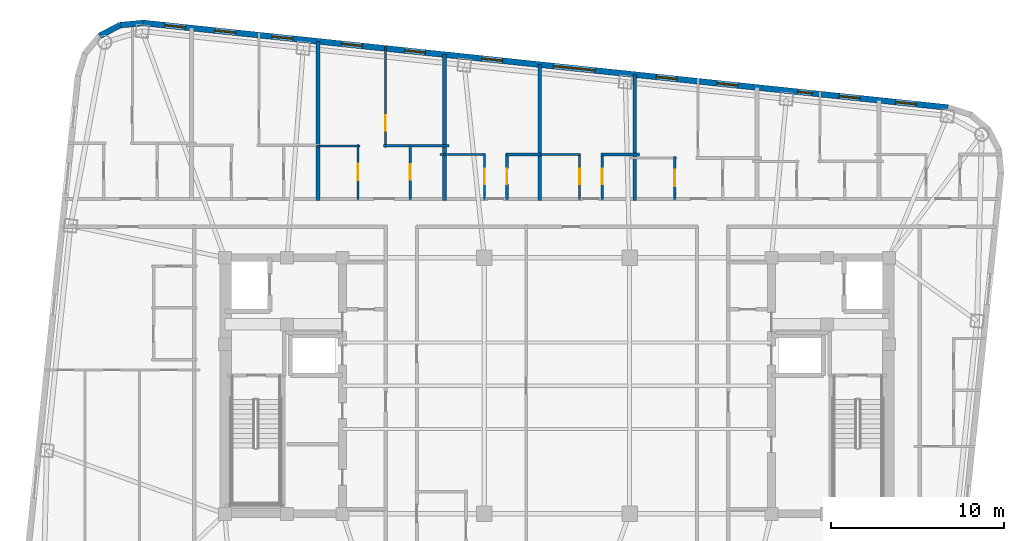
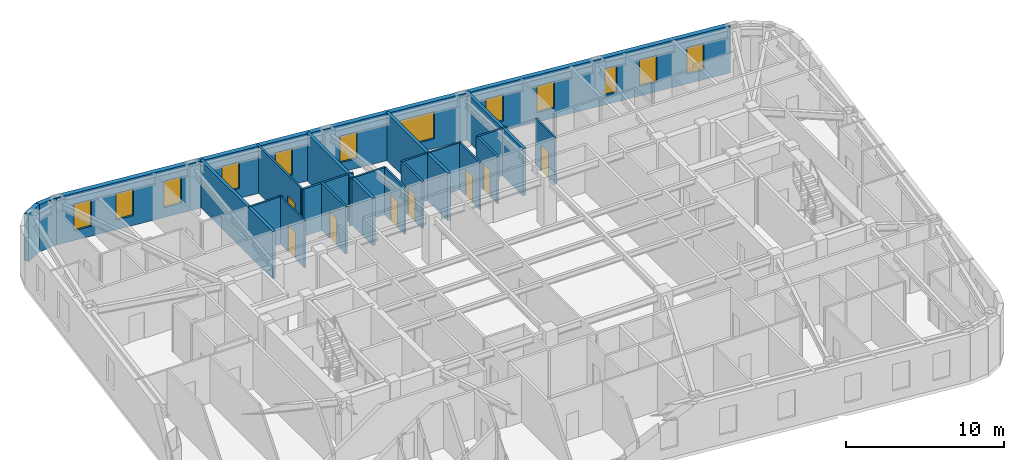
# One storey, part 8 of 11: 21 walls, 12 windows, 8 doors, 20 openings.
"""IFC4 building model written with IfcOpenShell, lengths in metres."""

from ifc_helpers import new_model, si_unit, direction, frame, frame_2d, origin, place, context, subcontext, project, spatial, rectangle, extrude, material, layer, layer_set, type_object, element, fill, save


model = new_model("IFC4")

# Units and contexts
model_context = context("Model", 3, precision=1e-05, world=origin(), true_north=direction((0.0, 1.0)))
body_context = subcontext(model_context, "Body", "Model", "MODEL_VIEW")
ifc_project = project(units=[si_unit("LENGTHUNIT", "METRE"), si_unit("AREAUNIT", "SQUARE_METRE"), si_unit("VOLUMEUNIT", "CUBIC_METRE"), si_unit("PLANEANGLEUNIT", "RADIAN"), si_unit("MASSUNIT", "GRAM", prefix="KILO")], contexts=[model_context])

# Site, building, storey
site_placement = place(None, origin())
site = spatial("IfcSite", under=ifc_project, at=site_placement, CompositionType="ELEMENT")
building_placement = place(site_placement, origin())
building = spatial("IfcBuilding", under=site, at=building_placement, Name="Voryun Gate Residences", CompositionType="ELEMENT")
storey_placement = place(building_placement, frame((0.0, 0.0, 283.39990234375)))
storey = spatial("IfcBuildingStorey", under=building, at=storey_placement, Name="L70", CompositionType="ELEMENT", Elevation=283.39990234375)

# Walls
ifc_material_1 = material(Name="Charcoal terracotta masonry", Category="masonry")
ifc_layer_1 = layer(ifc_material_1, 0.340087890625, Name="W_EXT_TERRACOTTA_340")
ifc_layer_set_1 = layer_set([ifc_layer_1], Name="Charcoal terracotta masonry")
wall_type_1 = type_object("IfcWallType", Name="W_EXT_TERRACOTTA_340", PredefinedType="ELEMENTEDWALL", material=ifc_layer_set_1)
wall_1_placement = place(storey_placement, frame((-26.439453125, 20.2255859375, 0.0), z_axis=(0.0, 0.0, 1.0), x_axis=(0.884922182678, 0.465738908193, 0.0)))
element("IfcWall", 1, at=wall_1_placement, inside=storey, type_object=wall_type_1, Name="Exterior wall WEXT-L70-09", PredefinedType="ELEMENTEDWALL", context=body_context, shape_type="SweptSolid", body=[
    extrude(rectangle(XDim=1.337158203125, YDim=0.340087890625, at=frame_2d((0.66845703125, 0.0))), origin(), (0.0, 0.0, 1.0), 3.650146484375),
])
wall_2_placement = place(storey_placement, frame((-25.256103515625, 20.848388671875, 0.0), z_axis=(0.0, 0.0, 1.0), x_axis=(0.995813013343, 0.091413579172, 0.0)))
element("IfcWall", 2, at=wall_2_placement, inside=storey, type_object=wall_type_1, Name="Exterior wall WEXT-L70-10", PredefinedType="ELEMENTEDWALL", context=body_context, shape_type="SweptSolid", body=[
    extrude(rectangle(XDim=1.35400390625, YDim=0.340087890625, at=frame_2d((0.677001953125, 0.0))), origin(), (0.0, 0.0, 1.0), 3.650146484375),
])

# Wall, openings, windows
wall_3_placement = place(storey_placement, frame((-23.90771484375, 20.97216796875, 0.0), z_axis=(0.0, 0.0, 1.0), x_axis=(0.994521888554, -0.104528528102, 0.0)))
wall_3 = element("IfcWall", 3, at=wall_3_placement, inside=storey, type_object=wall_type_1, Name="Exterior wall WEXT-L70-11", PredefinedType="ELEMENTEDWALL", context=body_context, shape_type="SweptSolid", body=[
    extrude(rectangle(XDim=46.766357421875, YDim=0.340087890625, at=frame_2d((23.38330078125, 0.0))), origin(), (0.0, 0.0, 1.0), 3.650146484375),
])
opening_1_placement = place(wall_3_placement, frame((23.833251953125, 0.0, 0.75)))
opening_1 = element("IfcOpeningElement", 4, at=opening_1_placement, cuts=wall_3, Name="Opening WN2", PredefinedType="OPENING", context=body_context, shape_type="SweptSolid", body=[
    extrude(rectangle(XDim=2.39990234375, YDim=2.10009765625, at=frame_2d((1.199951171875, 1.050048828125))), frame((0.0, 0.179931640625, 0.0), z_axis=(0.0, -1.0, 0.0), x_axis=(1.0, 0.0, 0.0)), (0.0, 0.0, 1.0), 0.360107421875),
])
opening_2_placement = place(wall_3_placement, frame((1.242919921875, 0.0, 0.75)))
opening_2 = element("IfcOpeningElement", 5, at=opening_2_placement, cuts=wall_3, Name="Opening WN6", PredefinedType="OPENING", context=body_context, shape_type="SweptSolid", body=[
    extrude(rectangle(XDim=1.199951171875, YDim=2.050048828125, at=frame_2d((0.60009765625, 1.02490234375))), frame((0.0, 0.179931640625, 0.0), z_axis=(0.0, -1.0, 0.0), x_axis=(1.0, 0.0, 0.0)), (0.0, 0.0, 1.0), 0.360107421875),
])
opening_3_placement = place(wall_3_placement, frame((4.156982421875, 0.0, 0.75)))
opening_3 = element("IfcOpeningElement", 6, at=opening_3_placement, cuts=wall_3, Name="Opening WN6", PredefinedType="OPENING", context=body_context, shape_type="SweptSolid", body=[
    extrude(rectangle(XDim=1.199951171875, YDim=2.050048828125, at=frame_2d((0.60009765625, 1.02490234375))), frame((0.0, 0.179931640625, 0.0), z_axis=(0.0, -1.0, 0.0), x_axis=(1.0, 0.0, 0.0)), (0.0, 0.0, 1.0), 0.360107421875),
])
opening_4_placement = place(wall_3_placement, frame((7.475341796875, 0.0, 0.75)))
opening_4 = element("IfcOpeningElement", 7, at=opening_4_placement, cuts=wall_3, Name="Opening WN6", PredefinedType="OPENING", context=body_context, shape_type="SweptSolid", body=[
    extrude(rectangle(XDim=1.199951171875, YDim=2.050048828125, at=frame_2d((0.60009765625, 1.02490234375))), frame((0.0, 0.179931640625, 0.0), z_axis=(0.0, -1.0, 0.0), x_axis=(1.0, 0.0, 0.0)), (0.0, 0.0, 1.0), 0.360107421875),
])
opening_5_placement = place(wall_3_placement, frame((11.513427734375, 0.0, 0.75)))
opening_5 = element("IfcOpeningElement", 8, at=opening_5_placement, cuts=wall_3, Name="Opening WN6", PredefinedType="OPENING", context=body_context, shape_type="SweptSolid", body=[
    extrude(rectangle(XDim=1.199951171875, YDim=2.050048828125, at=frame_2d((0.60009765625, 1.02490234375))), frame((0.0, 0.179931640625, 0.0), z_axis=(0.0, -1.0, 0.0), x_axis=(1.0, 0.0, 0.0)), (0.0, 0.0, 1.0), 0.360107421875),
])
opening_6_placement = place(wall_3_placement, frame((15.191650390625, 0.0, 0.75)))
opening_6 = element("IfcOpeningElement", 9, at=opening_6_placement, cuts=wall_3, Name="Opening WN6", PredefinedType="OPENING", context=body_context, shape_type="SweptSolid", body=[
    extrude(rectangle(XDim=1.199951171875, YDim=2.050048828125, at=frame_2d((0.60009765625, 1.02490234375))), frame((0.0, 0.179931640625, 0.0), z_axis=(0.0, -1.0, 0.0), x_axis=(1.0, 0.0, 0.0)), (0.0, 0.0, 1.0), 0.360107421875),
])
opening_7_placement = place(wall_3_placement, frame((19.671142578125, 0.0, 0.75)))
opening_7 = element("IfcOpeningElement", 10, at=opening_7_placement, cuts=wall_3, Name="Opening WN6", PredefinedType="OPENING", context=body_context, shape_type="SweptSolid", body=[
    extrude(rectangle(XDim=1.199951171875, YDim=2.050048828125, at=frame_2d((0.60009765625, 1.02490234375))), frame((0.0, 0.179931640625, 0.0), z_axis=(0.0, -1.0, 0.0), x_axis=(1.0, 0.0, 0.0)), (0.0, 0.0, 1.0), 0.360107421875),
])
opening_8_placement = place(wall_3_placement, frame((29.801025390625, 0.0, 0.75)))
opening_8 = element("IfcOpeningElement", 11, at=opening_8_placement, cuts=wall_3, Name="Opening WN6", PredefinedType="OPENING", context=body_context, shape_type="SweptSolid", body=[
    extrude(rectangle(XDim=1.199951171875, YDim=2.050048828125, at=frame_2d((0.60009765625, 1.02490234375))), frame((0.0, 0.179931640625, 0.0), z_axis=(0.0, -1.0, 0.0), x_axis=(1.0, 0.0, 0.0)), (0.0, 0.0, 1.0), 0.360107421875),
])
opening_9_placement = place(wall_3_placement, frame((33.35009765625, 0.0, 0.75)))
opening_9 = element("IfcOpeningElement", 12, at=opening_9_placement, cuts=wall_3, Name="Opening WN6", PredefinedType="OPENING", context=body_context, shape_type="SweptSolid", body=[
    extrude(rectangle(XDim=1.199951171875, YDim=2.050048828125, at=frame_2d((0.60009765625, 1.02490234375))), frame((0.0, 0.179931640625, 0.0), z_axis=(0.0, -1.0, 0.0), x_axis=(1.0, 0.0, 0.0)), (0.0, 0.0, 1.0), 0.360107421875),
])
opening_10_placement = place(wall_3_placement, frame((38.033935546875, 0.0, 0.75)))
opening_10 = element("IfcOpeningElement", 13, at=opening_10_placement, cuts=wall_3, Name="Opening WN9", PredefinedType="OPENING", context=body_context, shape_type="SweptSolid", body=[
    extrude(rectangle(XDim=0.85009765625, YDim=2.050048828125, at=frame_2d((0.425048828125, 1.02490234375))), frame((0.0, 0.179931640625, 0.0), z_axis=(0.0, -1.0, 0.0), x_axis=(1.0, 0.0, 0.0)), (0.0, 0.0, 1.0), 0.360107421875),
])
opening_11_placement = place(wall_3_placement, frame((40.447998046875, 0.0, 0.75)))
opening_11 = element("IfcOpeningElement", 14, at=opening_11_placement, cuts=wall_3, Name="Opening WN6", PredefinedType="OPENING", context=body_context, shape_type="SweptSolid", body=[
    extrude(rectangle(XDim=1.199951171875, YDim=2.050048828125, at=frame_2d((0.60009765625, 1.02490234375))), frame((0.0, 0.179931640625, 0.0), z_axis=(0.0, -1.0, 0.0), x_axis=(1.0, 0.0, 0.0)), (0.0, 0.0, 1.0), 0.360107421875),
])
opening_12_placement = place(wall_3_placement, frame((43.718017578125, 0.0, 0.75)))
opening_12 = element("IfcOpeningElement", 15, at=opening_12_placement, cuts=wall_3, Name="Opening WN6", PredefinedType="OPENING", context=body_context, shape_type="SweptSolid", body=[
    extrude(rectangle(XDim=1.199951171875, YDim=2.050048828125, at=frame_2d((0.60009765625, 1.02490234375))), frame((0.0, 0.179931640625, 0.0), z_axis=(0.0, -1.0, 0.0), x_axis=(1.0, 0.0, 0.0)), (0.0, 0.0, 1.0), 0.360107421875),
])
ifc_material_2 = material(Name="Laminated low-E glass", Category="glass")
window_type_1 = type_object("IfcWindowType", Name="WN_POD_SLOT_1200", PartitioningType="SINGLE_PANEL", PredefinedType="WINDOW", material=ifc_material_2)
window_1_placement = place(opening_2_placement, origin())
window_1 = element("IfcWindow", 16, at=window_1_placement, inside=storey, type_object=window_type_1, Name="Window WN-L70-DWFIX-02", OverallHeight=2.050048828125, OverallWidth=1.199951171875, PartitioningType="SINGLE_PANEL", PredefinedType="WINDOW", context=body_context, shape_type="SweptSolid", body=[
    extrude(rectangle(XDim=1.199951171875, YDim=2.050048828125, at=frame_2d((0.60009765625, 1.02490234375))), frame((0.0, 0.030029296875, 0.0), z_axis=(0.0, -1.0, 0.0), x_axis=(1.0, 0.0, 0.0)), (0.0, 0.0, 1.0), 0.06005859375),
])
fill(opening_2, window_1)
window_2_placement = place(opening_3_placement, origin())
window_2 = element("IfcWindow", 17, at=window_2_placement, inside=storey, type_object=window_type_1, Name="Window WN-L70-DWFIX-03", OverallHeight=2.050048828125, OverallWidth=1.199951171875, PartitioningType="SINGLE_PANEL", PredefinedType="WINDOW", context=body_context, shape_type="SweptSolid", body=[
    extrude(rectangle(XDim=1.199951171875, YDim=2.050048828125, at=frame_2d((0.60009765625, 1.02490234375))), frame((0.0, 0.030029296875, 0.0), z_axis=(0.0, -1.0, 0.0), x_axis=(1.0, 0.0, 0.0)), (0.0, 0.0, 1.0), 0.06005859375),
])
fill(opening_3, window_2)
window_3_placement = place(opening_4_placement, origin())
window_3 = element("IfcWindow", 18, at=window_3_placement, inside=storey, type_object=window_type_1, Name="Window WN-L70-DWFIX-04", OverallHeight=2.050048828125, OverallWidth=1.199951171875, PartitioningType="SINGLE_PANEL", PredefinedType="WINDOW", context=body_context, shape_type="SweptSolid", body=[
    extrude(rectangle(XDim=1.199951171875, YDim=2.050048828125, at=frame_2d((0.60009765625, 1.02490234375))), frame((0.0, 0.030029296875, 0.0), z_axis=(0.0, -1.0, 0.0), x_axis=(1.0, 0.0, 0.0)), (0.0, 0.0, 1.0), 0.06005859375),
])
fill(opening_4, window_3)
window_4_placement = place(opening_5_placement, origin())
window_4 = element("IfcWindow", 19, at=window_4_placement, inside=storey, type_object=window_type_1, Name="Window WN-L70-DWFIX-05", OverallHeight=2.050048828125, OverallWidth=1.199951171875, PartitioningType="SINGLE_PANEL", PredefinedType="WINDOW", context=body_context, shape_type="SweptSolid", body=[
    extrude(rectangle(XDim=1.199951171875, YDim=2.050048828125, at=frame_2d((0.60009765625, 1.02490234375))), frame((0.0, 0.030029296875, 0.0), z_axis=(0.0, -1.0, 0.0), x_axis=(1.0, 0.0, 0.0)), (0.0, 0.0, 1.0), 0.06005859375),
])
fill(opening_5, window_4)
window_5_placement = place(opening_6_placement, origin())
window_5 = element("IfcWindow", 20, at=window_5_placement, inside=storey, type_object=window_type_1, Name="Window WN-L70-DWFIX-06", OverallHeight=2.050048828125, OverallWidth=1.199951171875, PartitioningType="SINGLE_PANEL", PredefinedType="WINDOW", context=body_context, shape_type="SweptSolid", body=[
    extrude(rectangle(XDim=1.199951171875, YDim=2.050048828125, at=frame_2d((0.60009765625, 1.02490234375))), frame((0.0, 0.030029296875, 0.0), z_axis=(0.0, -1.0, 0.0), x_axis=(1.0, 0.0, 0.0)), (0.0, 0.0, 1.0), 0.06005859375),
])
fill(opening_6, window_5)
window_6_placement = place(opening_7_placement, origin())
window_6 = element("IfcWindow", 21, at=window_6_placement, inside=storey, type_object=window_type_1, Name="Window WN-L70-DWFIX-07", OverallHeight=2.050048828125, OverallWidth=1.199951171875, PartitioningType="SINGLE_PANEL", PredefinedType="WINDOW", context=body_context, shape_type="SweptSolid", body=[
    extrude(rectangle(XDim=1.199951171875, YDim=2.050048828125, at=frame_2d((0.60009765625, 1.02490234375))), frame((0.0, 0.030029296875, 0.0), z_axis=(0.0, -1.0, 0.0), x_axis=(1.0, 0.0, 0.0)), (0.0, 0.0, 1.0), 0.06005859375),
])
fill(opening_7, window_6)
window_7_placement = place(opening_8_placement, origin())
window_7 = element("IfcWindow", 22, at=window_7_placement, inside=storey, type_object=window_type_1, Name="Window WN-L70-DWFIX-08", OverallHeight=2.050048828125, OverallWidth=1.199951171875, PartitioningType="SINGLE_PANEL", PredefinedType="WINDOW", context=body_context, shape_type="SweptSolid", body=[
    extrude(rectangle(XDim=1.199951171875, YDim=2.050048828125, at=frame_2d((0.60009765625, 1.02490234375))), frame((0.0, 0.030029296875, 0.0), z_axis=(0.0, -1.0, 0.0), x_axis=(1.0, 0.0, 0.0)), (0.0, 0.0, 1.0), 0.06005859375),
])
fill(opening_8, window_7)
window_8_placement = place(opening_9_placement, origin())
window_8 = element("IfcWindow", 23, at=window_8_placement, inside=storey, type_object=window_type_1, Name="Window WN-L70-DWFIX-09", OverallHeight=2.050048828125, OverallWidth=1.199951171875, PartitioningType="SINGLE_PANEL", PredefinedType="WINDOW", context=body_context, shape_type="SweptSolid", body=[
    extrude(rectangle(XDim=1.199951171875, YDim=2.050048828125, at=frame_2d((0.60009765625, 1.02490234375))), frame((0.0, 0.030029296875, 0.0), z_axis=(0.0, -1.0, 0.0), x_axis=(1.0, 0.0, 0.0)), (0.0, 0.0, 1.0), 0.06005859375),
])
fill(opening_9, window_8)
window_9_placement = place(opening_11_placement, origin())
window_9 = element("IfcWindow", 24, at=window_9_placement, inside=storey, type_object=window_type_1, Name="Window WN-L70-DWFIX-11", OverallHeight=2.050048828125, OverallWidth=1.199951171875, PartitioningType="SINGLE_PANEL", PredefinedType="WINDOW", context=body_context, shape_type="SweptSolid", body=[
    extrude(rectangle(XDim=1.199951171875, YDim=2.050048828125, at=frame_2d((0.60009765625, 1.02490234375))), frame((0.0, 0.030029296875, 0.0), z_axis=(0.0, -1.0, 0.0), x_axis=(1.0, 0.0, 0.0)), (0.0, 0.0, 1.0), 0.06005859375),
])
fill(opening_11, window_9)
window_10_placement = place(opening_12_placement, origin())
window_10 = element("IfcWindow", 25, at=window_10_placement, inside=storey, type_object=window_type_1, Name="Window WN-L70-DWFIX-12", OverallHeight=2.050048828125, OverallWidth=1.199951171875, PartitioningType="SINGLE_PANEL", PredefinedType="WINDOW", context=body_context, shape_type="SweptSolid", body=[
    extrude(rectangle(XDim=1.199951171875, YDim=2.050048828125, at=frame_2d((0.60009765625, 1.02490234375))), frame((0.0, 0.030029296875, 0.0), z_axis=(0.0, -1.0, 0.0), x_axis=(1.0, 0.0, 0.0)), (0.0, 0.0, 1.0), 0.06005859375),
])
fill(opening_12, window_10)
ifc_material_3 = material(Name="Laminated low-E glass", Category="glass")
window_type_2 = type_object("IfcWindowType", Name="WN_RES_CASEMENT_850", PartitioningType="SINGLE_PANEL", PredefinedType="WINDOW", material=ifc_material_3)
window_11_placement = place(opening_10_placement, origin())
window_11 = element("IfcWindow", 26, at=window_11_placement, inside=storey, type_object=window_type_2, Name="Window WN-L70-DWFIX-10", OverallHeight=2.050048828125, OverallWidth=0.85009765625, PartitioningType="SINGLE_PANEL", PredefinedType="WINDOW", context=body_context, shape_type="SweptSolid", body=[
    extrude(rectangle(XDim=0.85009765625, YDim=2.050048828125, at=frame_2d((0.425048828125, 1.02490234375))), frame((0.0, 0.030029296875, 0.0), z_axis=(0.0, -1.0, 0.0), x_axis=(1.0, 0.0, 0.0)), (0.0, 0.0, 1.0), 0.06005859375),
])
fill(opening_10, window_11)
ifc_material_4 = material(Name="Laminated low-E glass", Category="glass")
window_type_3 = type_object("IfcWindowType", Name="WN_RES_WIDE_2400", PartitioningType="SINGLE_PANEL", PredefinedType="WINDOW", material=ifc_material_4)
window_12_placement = place(opening_1_placement, origin())
window_12 = element("IfcWindow", 27, at=window_12_placement, inside=storey, type_object=window_type_3, Name="Window WN-WEXT-L70-11-02", OverallHeight=2.10009765625, OverallWidth=2.39990234375, PartitioningType="SINGLE_PANEL", PredefinedType="WINDOW", context=body_context, shape_type="SweptSolid", body=[
    extrude(rectangle(XDim=2.39990234375, YDim=2.10009765625, at=frame_2d((1.199951171875, 1.050048828125))), frame((0.0, 0.030029296875, 0.0), z_axis=(0.0, -1.0, 0.0), x_axis=(1.0, 0.0, 0.0)), (0.0, 0.0, 1.0), 0.06005859375),
])
fill(opening_1, window_12)

# Walls
ifc_material_5 = material(Name="Concrete C40/50", Category="concrete")
ifc_layer_2 = layer(ifc_material_5, 0.219970703125, Name="W_PARTY_ACOUSTIC_220")
ifc_layer_set_2 = layer_set([ifc_layer_2], Name="Concrete C40/50")
wall_type_2 = type_object("IfcWallType", Name="W_PARTY_ACOUSTIC_220", PredefinedType="PARTITIONING", material=ifc_layer_set_2)
wall_4_placement = place(storey_placement, frame((-13.81591796875, 10.719970703125, 0.0), z_axis=(0.0, 0.0, 1.0), x_axis=(0.0, 1.0, 0.0)))
element("IfcWall", 28, at=wall_4_placement, inside=storey, type_object=wall_type_2, Name="Partition wall WP-L70-NPTY-2", PredefinedType="PARTITIONING", context=body_context, shape_type="SweptSolid", body=[
    extrude(rectangle(XDim=9.191650390625, YDim=0.219970703125, at=frame_2d((4.595703125, 0.0))), origin(), (0.0, 0.0, 1.0), 3.650146484375),
])
wall_5_placement = place(storey_placement, frame((-6.5, 10.719970703125, 0.0), z_axis=(0.0, 0.0, 1.0), x_axis=(0.0, 1.0, 0.0)))
element("IfcWall", 29, at=wall_5_placement, inside=storey, type_object=wall_type_2, Name="Partition wall WP-L70-NPTY-3", PredefinedType="PARTITIONING", context=body_context, shape_type="SweptSolid", body=[
    extrude(rectangle(XDim=8.422607421875, YDim=0.219970703125, at=frame_2d((4.21142578125, 0.0))), origin(), (0.0, 0.0, 1.0), 3.650146484375),
])
wall_6_placement = place(storey_placement, frame((-1.0, 10.719970703125, 0.0), z_axis=(0.0, 0.0, 1.0), x_axis=(0.0, 1.0, 0.0)))
element("IfcWall", 30, at=wall_6_placement, inside=storey, type_object=wall_type_2, Name="Partition wall WP-L70-NPTY-4", PredefinedType="PARTITIONING", context=body_context, shape_type="SweptSolid", body=[
    extrude(rectangle(XDim=7.844482421875, YDim=0.219970703125, at=frame_2d((3.92236328125, 0.0))), origin(), (0.0, 0.0, 1.0), 3.650146484375),
])
wall_7_placement = place(storey_placement, frame((4.5, 10.719970703125, 0.0), z_axis=(0.0, 0.0, 1.0), x_axis=(0.0, 1.0, 0.0)))
element("IfcWall", 31, at=wall_7_placement, inside=storey, type_object=wall_type_2, Name="Partition wall WP-L70-NPTY-5", PredefinedType="PARTITIONING", context=body_context, shape_type="SweptSolid", body=[
    extrude(rectangle(XDim=7.266357421875, YDim=0.219970703125, at=frame_2d((3.63330078125, 0.0))), origin(), (0.0, 0.0, 1.0), 3.650146484375),
])

# Wall, opening, door
ifc_material_6 = material(Name="Gypsum acoustic partition")
ifc_layer_3 = layer(ifc_material_6, 0.125, Name="W_UNIT_PART_125")
ifc_layer_set_3 = layer_set([ifc_layer_3], Name="Gypsum acoustic partition")
wall_type_3 = type_object("IfcWallType", Name="W_UNIT_PART_125", PredefinedType="PARTITIONING", material=ifc_layer_set_3)
wall_8_placement = place(storey_placement, frame((-9.909912109375, 13.785888671875, 0.0), z_axis=(0.0, 0.0, 1.0), x_axis=(0.0, 1.0, 0.0)))
wall_8 = element("IfcWall", 32, at=wall_8_placement, inside=storey, type_object=wall_type_3, Name="Partition wall WP-L70-N3-OVR", PredefinedType="PARTITIONING", context=body_context, shape_type="SweptSolid", body=[
    extrude(rectangle(XDim=5.865966796875, YDim=0.125, at=frame_2d((2.93310546875, 0.0))), origin(), (0.0, 0.0, 1.0), 3.650146484375),
])
opening_13_placement = place(wall_8_placement, frame((0.957763671875, 0.0, 0.0)))
opening_13 = element("IfcOpeningElement", 33, at=opening_13_placement, cuts=wall_8, Name="Opening D-INT-2", PredefinedType="OPENING", context=body_context, shape_type="SweptSolid", body=[
    extrude(rectangle(XDim=0.89990234375, YDim=2.050048828125, at=frame_2d((0.449951171875, 1.02490234375))), frame((0.0, 0.072509765625, 0.0), z_axis=(0.0, -1.0, 0.0), x_axis=(1.0, 0.0, 0.0)), (0.0, 0.0, 1.0), 0.14501953125),
])
ifc_material_7 = material(Name="Architectural oak veneer")
door_type_1 = type_object("IfcDoorType", Name="DR_INT_BATH_900", OperationType="NOTDEFINED", PredefinedType="DOOR", material=ifc_material_7)
door_1_placement = place(opening_13_placement, origin())
door_1 = element("IfcDoor", 34, at=door_1_placement, inside=storey, type_object=door_type_1, Name="Door DR-L70-N3-DMB", OperationType="SINGLE_SWING_RIGHT", OverallHeight=2.050048828125, OverallWidth=0.89990234375, PredefinedType="DOOR", context=body_context, shape_type="SweptSolid", body=[
    extrude(rectangle(XDim=0.89990234375, YDim=2.050048828125, at=frame_2d((0.449951171875, 1.02490234375))), frame((0.0, 0.02490234375, 0.0), z_axis=(0.0, -1.0, 0.0), x_axis=(1.0, 0.0, 0.0)), (0.0, 0.0, 1.0), 0.050048828125),
])
fill(opening_13, door_1)

wall_9_placement = place(storey_placement, frame((-11.506103515625, 10.780029296875, 0.0), z_axis=(0.0, 0.0, 1.0), x_axis=(0.0, 1.0, 0.0)))
wall_9 = element("IfcWall", 35, at=wall_9_placement, inside=storey, type_object=wall_type_3, Name="Partition wall WP-L70-N3-IVK", PredefinedType="PARTITIONING", context=body_context, shape_type="SweptSolid", body=[
    extrude(rectangle(XDim=3.166015625, YDim=0.125, at=frame_2d((1.5830078125, 0.0))), origin(), (0.0, 0.0, 1.0), 3.650146484375),
])
opening_14_placement = place(wall_9_placement, frame((1.10791015625, 0.0, 0.0)))
opening_14 = element("IfcOpeningElement", 36, at=opening_14_placement, cuts=wall_9, Name="Opening D-INT-1", PredefinedType="OPENING", context=body_context, shape_type="SweptSolid", body=[
    extrude(rectangle(XDim=0.949951171875, YDim=2.050048828125, at=frame_2d((0.47509765625, 1.02490234375))), frame((0.0, 0.072509765625, 0.0), z_axis=(0.0, -1.0, 0.0), x_axis=(1.0, 0.0, 0.0)), (0.0, 0.0, 1.0), 0.14501953125),
])
ifc_material_8 = material(Name="Architectural oak veneer")
door_type_2 = type_object("IfcDoorType", Name="DR_INT_ROOM_950", OperationType="NOTDEFINED", PredefinedType="DOOR", material=ifc_material_8)
door_2_placement = place(opening_14_placement, origin())
door_2 = element("IfcDoor", 37, at=door_2_placement, inside=storey, type_object=door_type_2, Name="Door DR-L70-N3-DK", OperationType="SINGLE_SWING_LEFT", OverallHeight=2.050048828125, OverallWidth=0.949951171875, PredefinedType="DOOR", context=body_context, shape_type="SweptSolid", body=[
    extrude(rectangle(XDim=0.949951171875, YDim=2.050048828125, at=frame_2d((0.47509765625, 1.02490234375))), frame((0.0, 0.02490234375, 0.0), z_axis=(0.0, -1.0, 0.0), x_axis=(1.0, 0.0, 0.0)), (0.0, 0.0, 1.0), 0.050048828125),
])
fill(opening_14, door_2)

# Wall
wall_10_placement = place(storey_placement, frame((-13.89111328125, 13.865966796875, 0.0), z_axis=(0.0, 0.0, 1.0), x_axis=(1.0, 0.0, 0.0)))
element("IfcWall", 38, at=wall_10_placement, inside=storey, type_object=wall_type_3, Name="Partition wall WP-L70-N3-HZK", PredefinedType="PARTITIONING", context=body_context, shape_type="SweptSolid", body=[
    extrude(rectangle(XDim=2.505126953125, YDim=0.125, at=frame_2d((1.25244140625, 0.0))), origin(), (0.0, 0.0, 1.0), 3.650146484375),
])

# Wall, opening, door
wall_11_placement = place(storey_placement, frame((-4.18994140625, 10.780029296875, 0.0), z_axis=(0.0, 0.0, 1.0), x_axis=(0.0, 1.0, 0.0)))
wall_11 = element("IfcWall", 39, at=wall_11_placement, inside=storey, type_object=wall_type_3, Name="Partition wall WP-L70-N4-CVK", PredefinedType="PARTITIONING", context=body_context, shape_type="SweptSolid", body=[
    extrude(rectangle(XDim=2.64990234375, YDim=0.125, at=frame_2d((1.324951171875, 0.0))), origin(), (0.0, 0.0, 1.0), 3.650146484375),
])
opening_15_placement = place(wall_11_placement, frame((0.875, 0.0, 0.0)))
opening_15 = element("IfcOpeningElement", 40, at=opening_15_placement, cuts=wall_11, Name="Opening D-INT-2", PredefinedType="OPENING", context=body_context, shape_type="SweptSolid", body=[
    extrude(rectangle(XDim=0.89990234375, YDim=2.050048828125, at=frame_2d((0.449951171875, 1.02490234375))), frame((0.0, 0.072509765625, 0.0), z_axis=(0.0, -1.0, 0.0), x_axis=(1.0, 0.0, 0.0)), (0.0, 0.0, 1.0), 0.14501953125),
])
door_3_placement = place(opening_15_placement, origin())
door_3 = element("IfcDoor", 41, at=door_3_placement, inside=storey, type_object=door_type_1, Name="Door DR-L70-N4-DK", OperationType="SINGLE_SWING_LEFT", OverallHeight=2.050048828125, OverallWidth=0.89990234375, PredefinedType="DOOR", context=body_context, shape_type="SweptSolid", body=[
    extrude(rectangle(XDim=0.89990234375, YDim=2.050048828125, at=frame_2d((0.449951171875, 1.02490234375))), frame((0.0, 0.02490234375, 0.0), z_axis=(0.0, -1.0, 0.0), x_axis=(1.0, 0.0, 0.0)), (0.0, 0.0, 1.0), 0.050048828125),
])
fill(opening_15, door_3)

# Wall
wall_12_placement = place(storey_placement, frame((-6.760009765625, 13.3701171875, 0.0), z_axis=(0.0, 0.0, 1.0), x_axis=(1.0, 0.0, 0.0)))
element("IfcWall", 42, at=wall_12_placement, inside=storey, type_object=wall_type_3, Name="Partition wall WP-L70-N4-CHK", PredefinedType="PARTITIONING", context=body_context, shape_type="SweptSolid", body=[
    extrude(rectangle(XDim=2.630126953125, YDim=0.125, at=frame_2d((1.31494140625, 0.0))), origin(), (0.0, 0.0, 1.0), 3.650146484375),
])

# Wall, opening, door
wall_13_placement = place(storey_placement, frame((1.31005859375, 10.780029296875, 0.0), z_axis=(0.0, 0.0, 1.0), x_axis=(0.0, 1.0, 0.0)))
wall_13 = element("IfcWall", 43, at=wall_13_placement, inside=storey, type_object=wall_type_3, Name="Partition wall WP-L70-N5-CVK", PredefinedType="PARTITIONING", context=body_context, shape_type="SweptSolid", body=[
    extrude(rectangle(XDim=2.64990234375, YDim=0.125, at=frame_2d((1.324951171875, 0.0))), origin(), (0.0, 0.0, 1.0), 3.650146484375),
])
opening_16_placement = place(wall_13_placement, frame((0.875, 0.0, 0.0)))
opening_16 = element("IfcOpeningElement", 44, at=opening_16_placement, cuts=wall_13, Name="Opening D-INT-2", PredefinedType="OPENING", context=body_context, shape_type="SweptSolid", body=[
    extrude(rectangle(XDim=0.89990234375, YDim=2.050048828125, at=frame_2d((0.449951171875, 1.02490234375))), frame((0.0, 0.072509765625, 0.0), z_axis=(0.0, -1.0, 0.0), x_axis=(1.0, 0.0, 0.0)), (0.0, 0.0, 1.0), 0.14501953125),
])
door_4_placement = place(opening_16_placement, origin())
door_4 = element("IfcDoor", 45, at=door_4_placement, inside=storey, type_object=door_type_1, Name="Door DR-L70-N5-DK", OperationType="SINGLE_SWING_LEFT", OverallHeight=2.050048828125, OverallWidth=0.89990234375, PredefinedType="DOOR", context=body_context, shape_type="SweptSolid", body=[
    extrude(rectangle(XDim=0.89990234375, YDim=2.050048828125, at=frame_2d((0.449951171875, 1.02490234375))), frame((0.0, 0.02490234375, 0.0), z_axis=(0.0, -1.0, 0.0), x_axis=(1.0, 0.0, 0.0)), (0.0, 0.0, 1.0), 0.050048828125),
])
fill(opening_16, door_4)

# Wall
wall_14_placement = place(storey_placement, frame((-1.074951171875, 13.3701171875, 0.0), z_axis=(0.0, 0.0, 1.0), x_axis=(1.0, 0.0, 0.0)))
element("IfcWall", 46, at=wall_14_placement, inside=storey, type_object=wall_type_3, Name="Partition wall WP-L70-N5-CHK", PredefinedType="PARTITIONING", context=body_context, shape_type="SweptSolid", body=[
    extrude(rectangle(XDim=2.445068359375, YDim=0.125, at=frame_2d((1.22265625, 0.0))), origin(), (0.0, 0.0, 1.0), 3.650146484375),
])

# Wall, opening, door
wall_15_placement = place(storey_placement, frame((6.81005859375, 10.780029296875, 0.0), z_axis=(0.0, 0.0, 1.0), x_axis=(0.0, 1.0, 0.0)))
wall_15 = element("IfcWall", 47, at=wall_15_placement, inside=storey, type_object=wall_type_3, Name="Partition wall WP-L70-N6-IVK", PredefinedType="PARTITIONING", context=body_context, shape_type="SweptSolid", body=[
    extrude(rectangle(XDim=2.467041015625, YDim=0.125, at=frame_2d((1.2333984375, 0.0))), origin(), (0.0, 0.0, 1.0), 3.650146484375),
])
opening_17_placement = place(wall_15_placement, frame((0.758544921875, 0.0, 0.0)))
opening_17 = element("IfcOpeningElement", 48, at=opening_17_placement, cuts=wall_15, Name="Opening D-INT-1", PredefinedType="OPENING", context=body_context, shape_type="SweptSolid", body=[
    extrude(rectangle(XDim=0.949951171875, YDim=2.050048828125, at=frame_2d((0.47509765625, 1.02490234375))), frame((0.0, 0.072509765625, 0.0), z_axis=(0.0, -1.0, 0.0), x_axis=(1.0, 0.0, 0.0)), (0.0, 0.0, 1.0), 0.14501953125),
])
door_5_placement = place(opening_17_placement, origin())
door_5 = element("IfcDoor", 49, at=door_5_placement, inside=storey, type_object=door_type_2, Name="Door DR-L70-N6-DK", OperationType="SINGLE_SWING_LEFT", OverallHeight=2.050048828125, OverallWidth=0.949951171875, PredefinedType="DOOR", context=body_context, shape_type="SweptSolid", body=[
    extrude(rectangle(XDim=0.949951171875, YDim=2.050048828125, at=frame_2d((0.47509765625, 1.02490234375))), frame((0.0, 0.02490234375, 0.0), z_axis=(0.0, -1.0, 0.0), x_axis=(1.0, 0.0, 0.0)), (0.0, 0.0, 1.0), 0.050048828125),
])
fill(opening_17, door_5)

# Wall
ifc_material_9 = material(Name="Gypsum moisture-resistant partition")
ifc_layer_4 = layer(ifc_material_9, 0.14990234375, Name="W_WET_PLUMB_150")
ifc_layer_set_4 = layer_set([ifc_layer_4], Name="Gypsum moisture-resistant partition")
wall_type_4 = type_object("IfcWallType", Name="W_WET_PLUMB_150", PredefinedType="PLUMBINGWALL", material=ifc_layer_set_4)
wall_16_placement = place(storey_placement, frame((-10.030029296875, 13.865966796875, 0.0), z_axis=(0.0, 0.0, 1.0), x_axis=(1.0, 0.0, 0.0)))
element("IfcWall", 50, at=wall_16_placement, inside=storey, type_object=wall_type_4, Name="Partition wall WP-L70-N3-HZB", PredefinedType="PLUMBINGWALL", context=body_context, shape_type="SweptSolid", body=[
    extrude(rectangle(XDim=3.7900390625, YDim=0.14990234375, at=frame_2d((1.89501953125, 0.0))), origin(), (0.0, 0.0, 1.0), 3.650146484375),
])

# Wall, opening, door
wall_17_placement = place(storey_placement, frame((-8.47998046875, 10.780029296875, 0.0), z_axis=(0.0, 0.0, 1.0), x_axis=(0.0, 1.0, 0.0)))
wall_17 = element("IfcWall", 51, at=wall_17_placement, inside=storey, type_object=wall_type_4, Name="Partition wall WP-L70-N3-IVB", PredefinedType="PLUMBINGWALL", context=body_context, shape_type="SweptSolid", body=[
    extrude(rectangle(XDim=3.166015625, YDim=0.14990234375, at=frame_2d((1.5830078125, 0.0))), origin(), (0.0, 0.0, 1.0), 3.650146484375),
])
opening_18_placement = place(wall_17_placement, frame((1.133056640625, 0.0, 0.0)))
opening_18 = element("IfcOpeningElement", 52, at=opening_18_placement, cuts=wall_17, Name="Opening D-INT-2", PredefinedType="OPENING", context=body_context, shape_type="SweptSolid", body=[
    extrude(rectangle(XDim=0.89990234375, YDim=2.050048828125, at=frame_2d((0.449951171875, 1.02490234375))), frame((0.0, 0.0849609375, 0.0), z_axis=(0.0, -1.0, 0.0), x_axis=(1.0, 0.0, 0.0)), (0.0, 0.0, 1.0), 0.169921875),
])
door_6_placement = place(opening_18_placement, origin())
door_6 = element("IfcDoor", 53, at=door_6_placement, inside=storey, type_object=door_type_1, Name="Door DR-L70-N3-DB", OperationType="SINGLE_SWING_RIGHT", OverallHeight=2.050048828125, OverallWidth=0.89990234375, PredefinedType="DOOR", context=body_context, shape_type="SweptSolid", body=[
    extrude(rectangle(XDim=0.89990234375, YDim=2.050048828125, at=frame_2d((0.449951171875, 1.02490234375))), frame((0.0, 0.02490234375, 0.0), z_axis=(0.0, -1.0, 0.0), x_axis=(1.0, 0.0, 0.0)), (0.0, 0.0, 1.0), 0.050048828125),
])
fill(opening_18, door_6)

wall_18_placement = place(storey_placement, frame((-2.888916015625, 10.780029296875, 0.0), z_axis=(0.0, 0.0, 1.0), x_axis=(0.0, 1.0, 0.0)))
wall_18 = element("IfcWall", 54, at=wall_18_placement, inside=storey, type_object=wall_type_4, Name="Partition wall WP-L70-N4-CVB", PredefinedType="PLUMBINGWALL", context=body_context, shape_type="SweptSolid", body=[
    extrude(rectangle(XDim=2.64990234375, YDim=0.14990234375, at=frame_2d((1.324951171875, 0.0))), origin(), (0.0, 0.0, 1.0), 3.650146484375),
])
opening_19_placement = place(wall_18_placement, frame((0.875, 0.0, 0.0)))
opening_19 = element("IfcOpeningElement", 55, at=opening_19_placement, cuts=wall_18, Name="Opening D-INT-2", PredefinedType="OPENING", context=body_context, shape_type="SweptSolid", body=[
    extrude(rectangle(XDim=0.89990234375, YDim=2.050048828125, at=frame_2d((0.449951171875, 1.02490234375))), frame((0.0, 0.0849609375, 0.0), z_axis=(0.0, -1.0, 0.0), x_axis=(1.0, 0.0, 0.0)), (0.0, 0.0, 1.0), 0.169921875),
])
door_7_placement = place(opening_19_placement, origin())
door_7 = element("IfcDoor", 56, at=door_7_placement, inside=storey, type_object=door_type_1, Name="Door DR-L70-N4-DB", OperationType="SINGLE_SWING_RIGHT", OverallHeight=2.050048828125, OverallWidth=0.89990234375, PredefinedType="DOOR", context=body_context, shape_type="SweptSolid", body=[
    extrude(rectangle(XDim=0.89990234375, YDim=2.050048828125, at=frame_2d((0.449951171875, 1.02490234375))), frame((0.0, 0.02490234375, 0.0), z_axis=(0.0, -1.0, 0.0), x_axis=(1.0, 0.0, 0.0)), (0.0, 0.0, 1.0), 0.050048828125),
])
fill(opening_19, door_7)

# Wall
wall_19_placement = place(storey_placement, frame((-2.948974609375, 13.3701171875, 0.0), z_axis=(0.0, 0.0, 1.0), x_axis=(1.0, 0.0, 0.0)))
element("IfcWall", 57, at=wall_19_placement, inside=storey, type_object=wall_type_4, Name="Partition wall WP-L70-N4-CHB", PredefinedType="PLUMBINGWALL", context=body_context, shape_type="SweptSolid", body=[
    extrude(rectangle(XDim=2.02392578125, YDim=0.14990234375, at=frame_2d((1.011962890625, 0.0))), origin(), (0.0, 0.0, 1.0), 3.650146484375),
])

# Wall, opening, door
wall_20_placement = place(storey_placement, frame((2.611083984375, 10.780029296875, 0.0), z_axis=(0.0, 0.0, 1.0), x_axis=(0.0, 1.0, 0.0)))
wall_20 = element("IfcWall", 58, at=wall_20_placement, inside=storey, type_object=wall_type_4, Name="Partition wall WP-L70-N5-CVB", PredefinedType="PLUMBINGWALL", context=body_context, shape_type="SweptSolid", body=[
    extrude(rectangle(XDim=2.64990234375, YDim=0.14990234375, at=frame_2d((1.324951171875, 0.0))), origin(), (0.0, 0.0, 1.0), 3.650146484375),
])
opening_20_placement = place(wall_20_placement, frame((0.875, 0.0, 0.0)))
opening_20 = element("IfcOpeningElement", 59, at=opening_20_placement, cuts=wall_20, Name="Opening D-INT-2", PredefinedType="OPENING", context=body_context, shape_type="SweptSolid", body=[
    extrude(rectangle(XDim=0.89990234375, YDim=2.050048828125, at=frame_2d((0.449951171875, 1.02490234375))), frame((0.0, 0.0849609375, 0.0), z_axis=(0.0, -1.0, 0.0), x_axis=(1.0, 0.0, 0.0)), (0.0, 0.0, 1.0), 0.169921875),
])
door_8_placement = place(opening_20_placement, origin())
door_8 = element("IfcDoor", 60, at=door_8_placement, inside=storey, type_object=door_type_1, Name="Door DR-L70-N5-DB", OperationType="SINGLE_SWING_RIGHT", OverallHeight=2.050048828125, OverallWidth=0.89990234375, PredefinedType="DOOR", context=body_context, shape_type="SweptSolid", body=[
    extrude(rectangle(XDim=0.89990234375, YDim=2.050048828125, at=frame_2d((0.449951171875, 1.02490234375))), frame((0.0, 0.02490234375, 0.0), z_axis=(0.0, -1.0, 0.0), x_axis=(1.0, 0.0, 0.0)), (0.0, 0.0, 1.0), 0.050048828125),
])
fill(opening_20, door_8)

# Wall
wall_21_placement = place(storey_placement, frame((2.551025390625, 13.3701171875, 0.0), z_axis=(0.0, 0.0, 1.0), x_axis=(1.0, 0.0, 0.0)))
element("IfcWall", 61, at=wall_21_placement, inside=storey, type_object=wall_type_4, Name="Partition wall WP-L70-N5-CHB", PredefinedType="PLUMBINGWALL", context=body_context, shape_type="SweptSolid", body=[
    extrude(rectangle(XDim=2.208984375, YDim=0.14990234375, at=frame_2d((1.1044921875, 0.0))), origin(), (0.0, 0.0, 1.0), 3.650146484375),
])

save(model, "model.ifc")
